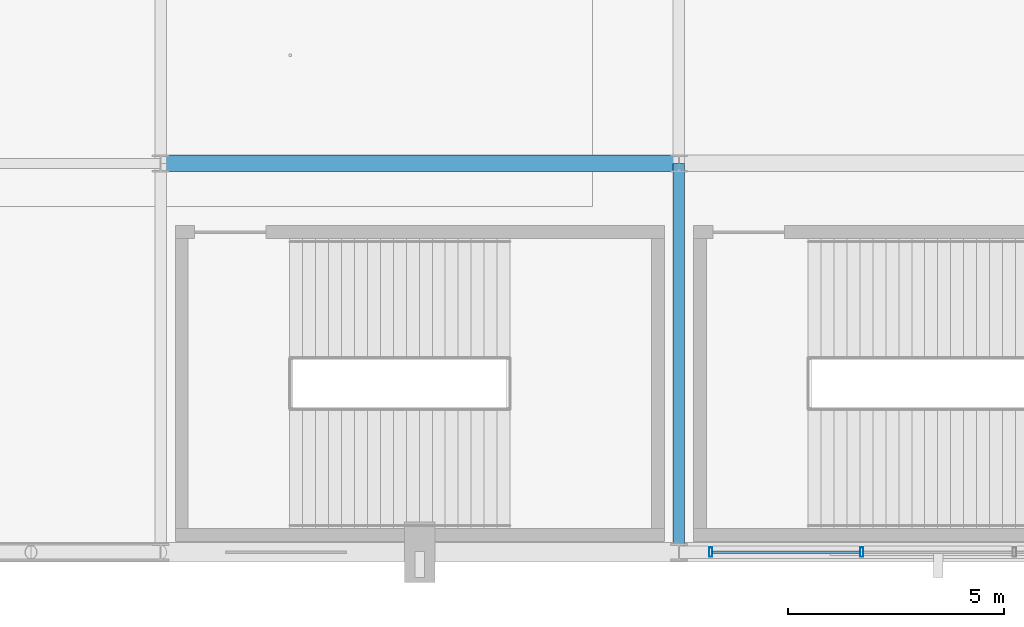
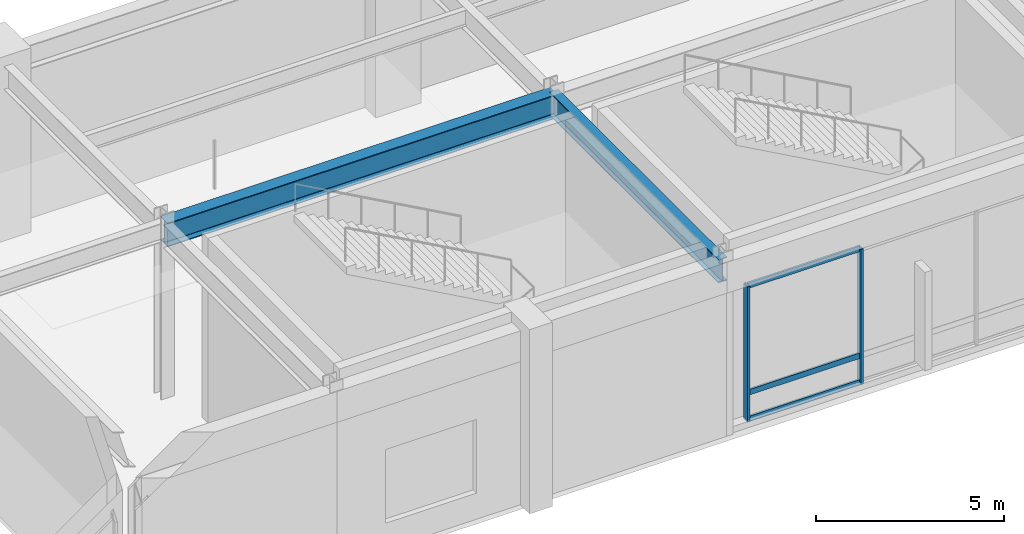
# One storey, part 18 of 105: 5 members, 2 beams, 1 element without a shape of its own.
"""IFC4 building model written with IfcOpenShell, lengths in metres."""

from ifc_helpers import new_model, si_unit, direction, frame, origin, origin_2d, place, context, subcontext, project, spatial, hollow_rectangle, i_section, extrude, material, material_profile, profile_set, type_object, element, aggregate, save


model = new_model("IFC4")

# Units and contexts
model_context = context("Model", 3, precision=1e-05, world=origin(), true_north=direction((0.0, 1.0)))
body_context = subcontext(model_context, "Body", "Model", "MODEL_VIEW")
ifc_project = project(units=[si_unit("LENGTHUNIT", "METRE"), si_unit("AREAUNIT", "SQUARE_METRE"), si_unit("VOLUMEUNIT", "CUBIC_METRE"), si_unit("PLANEANGLEUNIT", "RADIAN"), si_unit("MASSUNIT", "GRAM", prefix="KILO")], contexts=[model_context])

# Site, building, storey
site_placement = place(None, origin())
site = spatial("IfcSite", under=ifc_project, at=site_placement, CompositionType="ELEMENT")
building_placement = place(site_placement, origin())
building = spatial("IfcBuilding", under=site, at=building_placement, Name="Kaldorvane Square Convention Centre", CompositionType="ELEMENT")
storey_placement = place(building_placement, frame((0.0, 0.0, 6.0)))
storey = spatial("IfcBuildingStorey", under=building, at=storey_placement, Name="L01", CompositionType="ELEMENT", Elevation=6.0)

# Beams
ifc_material_1 = material(Name="Steel ASTM A992 Gr. 50", Category="steel")
ifc_material_profile_1 = material_profile(ifc_material_1, i_section(OverallWidth=0.2666015625, OverallDepth=0.762298583984375, WebThickness=0.014404296875, FlangeThickness=0.0216064453125, FilletRadius=0.0164947509765625, at=origin_2d()), Name="W30X116")
ifc_profile_set_1 = profile_set([ifc_material_profile_1], Name="Steel ASTM A992 Gr. 50")
beam_type_1 = type_object("IfcBeamType", Name="BM-GR-W30X116", PredefinedType="BEAM", material=ifc_profile_set_1)
beam_1_placement = place(storey_placement, frame((42.0, 0.0, 5.2949066162109375), z_axis=(0.0, 1.0, 0.0), x_axis=(-1.0, 0.0, 0.0)))
element("IfcBeam", 1, at=beam_1_placement, inside=storey, type_object=beam_type_1, Name="Transverse Girder (L01)", PredefinedType="BEAM", context=body_context, shape_type="SweptSolid", body=[
    extrude(i_section(OverallWidth=0.2666015625, OverallDepth=0.762298583984375, WebThickness=0.014404296875, FlangeThickness=0.0216064453125, FilletRadius=0.0164947509765625, at=origin_2d()), origin(), (0.0, 0.0, 1.0), 9.0),
])
ifc_material_profile_2 = material_profile(ifc_material_1, i_section(OverallWidth=0.380706787109375, OverallDepth=0.773193359375, WebThickness=0.0166015625, FlangeThickness=0.027099609375, FilletRadius=0.0164947509765625, at=origin_2d()), Name="W30X173")
ifc_profile_set_2 = profile_set([ifc_material_profile_2], Name="Steel ASTM A992 Gr. 50")
beam_type_2 = type_object("IfcBeamType", Name="BM-GR-W30X173", PredefinedType="BEAM", material=ifc_profile_set_2)
beam_2_placement = place(storey_placement, frame((30.0, 9.0, 5.289398193359375), z_axis=(1.0, 0.0, 0.0), x_axis=(0.0, 1.0, 0.0)))
element("IfcBeam", 2, at=beam_2_placement, inside=storey, type_object=beam_type_2, Name="Primary Girder (L01)", PredefinedType="BEAM", context=body_context, shape_type="SweptSolid", body=[
    extrude(i_section(OverallWidth=0.380706787109375, OverallDepth=0.773193359375, WebThickness=0.0166015625, FlangeThickness=0.027099609375, FilletRadius=0.0164947509765625, at=origin_2d()), origin(), (0.0, 0.0, 1.0), 12.0),
])

# Curtain wall, members
ifc_material_2 = material(Name="Anodized Aluminum and Low-E Insulated Glazing", Category="aluminium")
curtain_wall_type = type_object("IfcCurtainWallType", Name="CW-UNI-P60-12", PredefinedType="USERDEFINED", material=ifc_material_2)
curtain_wall_placement = place(storey_placement, origin())
curtain_wall = element("IfcCurtainWall", 3, at=curtain_wall_placement, inside=storey, type_object=curtain_wall_type, Name="Curtain Wall CW-01 (L01)", ObjectType="UNITISED GLAZING", PredefinedType="USERDEFINED")
ifc_material_profile_3 = material_profile(ifc_material_2, hollow_rectangle(XDim=0.0749969482421875, YDim=0.220001220703125, WallThickness=0.003997802734375, at=origin_2d()), Name="CWM-220X75")
ifc_profile_set_3 = profile_set([ifc_material_profile_3], Name="Anodized Aluminum and Low-E Insulated Glazing")
member_type_1 = type_object("IfcMemberType", Name="CW-MUL-220", PredefinedType="MULLION", material=ifc_profile_set_3)
member_1_placement = place(storey_placement, frame((42.73750305175781, 0.0, 0.149993896484375), z_axis=(0.0, 0.0, 1.0), x_axis=(1.0, 0.0, 0.0)))
member_1 = element("IfcMember", 4, at=member_1_placement, type_object=member_type_1, Name="CW-01 mullion 1", PredefinedType="MULLION", context=body_context, shape_type="SweptSolid", body=[
    extrude(hollow_rectangle(XDim=0.0749969482421875, YDim=0.220001220703125, WallThickness=0.003997802734375, at=origin_2d()), origin(), (0.0, 0.0, 1.0), 4.410003662109375),
])
member_2_placement = place(storey_placement, frame((46.23333740234375, 0.0, 0.149993896484375), z_axis=(0.0, 0.0, 1.0), x_axis=(1.0, 0.0, 0.0)))
member_2 = element("IfcMember", 5, at=member_2_placement, type_object=member_type_1, Name="CW-01 mullion 2", PredefinedType="MULLION", context=body_context, shape_type="SweptSolid", body=[
    extrude(hollow_rectangle(XDim=0.0749969482421875, YDim=0.220001220703125, WallThickness=0.003997802734375, at=origin_2d()), origin(), (0.0, 0.0, 1.0), 4.410003662109375),
])
ifc_material_profile_4 = material_profile(ifc_material_2, hollow_rectangle(XDim=0.06500244140625, YDim=0.17999267578125, WallThickness=0.0034942626953125, at=origin_2d()), Name="CWT-180X65")
ifc_profile_set_4 = profile_set([ifc_material_profile_4], Name="Anodized Aluminum and Low-E Insulated Glazing")
member_type_2 = type_object("IfcMemberType", Name="CW-TRN-180", PredefinedType="USERDEFINED", material=ifc_profile_set_4)
member_3_placement = place(storey_placement, frame((42.774993896484375, 0.0, 0.1824951171875), z_axis=(1.0, 0.0, 0.0), x_axis=(0.0, 1.0, 0.0)))
member_3 = element("IfcMember", 6, at=member_3_placement, type_object=member_type_2, Name="CW-01 transom 1.1", ObjectType="TRANSOM", PredefinedType="USERDEFINED", context=body_context, shape_type="SweptSolid", body=[
    extrude(hollow_rectangle(XDim=0.06500244140625, YDim=0.17999267578125, WallThickness=0.0034942626953125, at=origin_2d()), origin(), (0.0, 0.0, 1.0), 3.42083740234375),
])
member_4_placement = place(storey_placement, frame((42.774993896484375, 0.0, 1.0500030517578125), z_axis=(1.0, 0.0, 0.0), x_axis=(0.0, 1.0, 0.0)))
member_4 = element("IfcMember", 7, at=member_4_placement, type_object=member_type_2, Name="CW-01 transom 1.2", ObjectType="TRANSOM", PredefinedType="USERDEFINED", context=body_context, shape_type="SweptSolid", body=[
    extrude(hollow_rectangle(XDim=0.06500244140625, YDim=0.17999267578125, WallThickness=0.0034942626953125, at=origin_2d()), origin(), (0.0, 0.0, 1.0), 3.42083740234375),
])
member_5_placement = place(storey_placement, frame((42.774993896484375, 0.0, 4.527496337890625), z_axis=(1.0, 0.0, 0.0), x_axis=(0.0, 1.0, 0.0)))
member_5 = element("IfcMember", 8, at=member_5_placement, type_object=member_type_2, Name="CW-01 transom 1.3", ObjectType="TRANSOM", PredefinedType="USERDEFINED", context=body_context, shape_type="SweptSolid", body=[
    extrude(hollow_rectangle(XDim=0.06500244140625, YDim=0.17999267578125, WallThickness=0.0034942626953125, at=origin_2d()), origin(), (0.0, 0.0, 1.0), 3.42083740234375),
])
aggregate(curtain_wall, [member_1, member_2, member_3, member_4, member_5])

save(model, "model.ifc")
